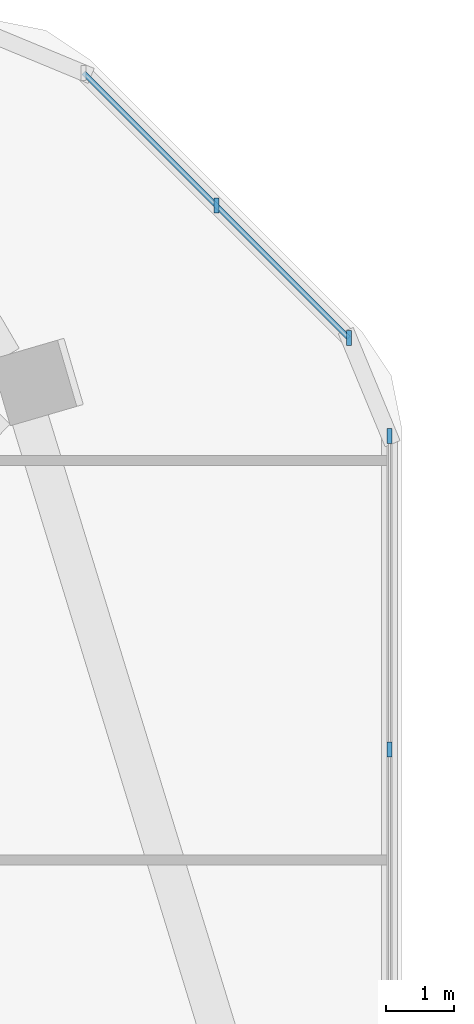
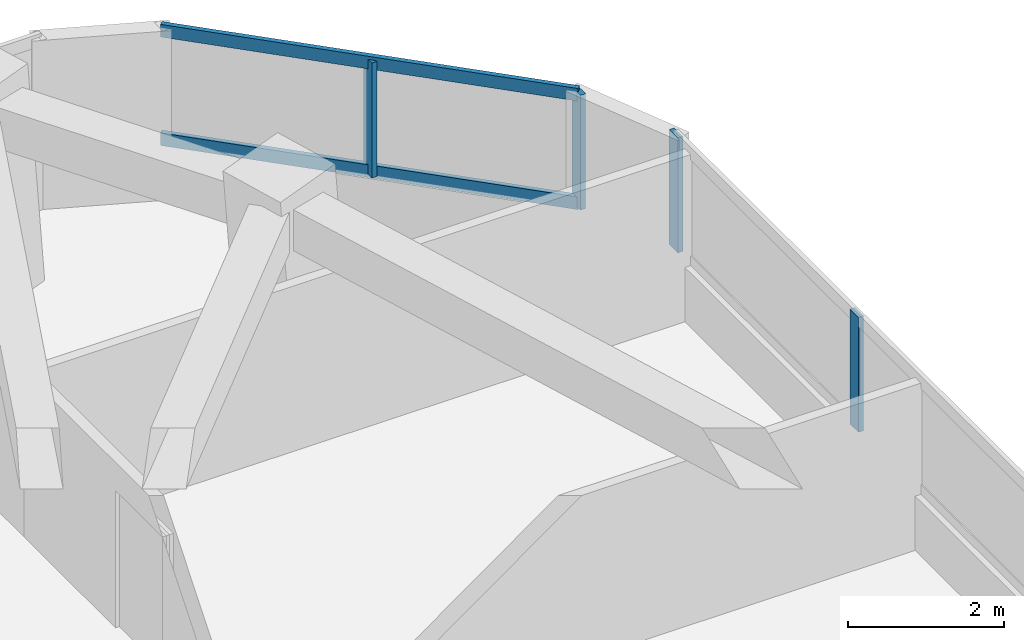
# One storey, part 7 of 14: 6 members, 2 elements without a shape of their own.
"""IFC4 building model written with IfcOpenShell, lengths in metres."""

from ifc_helpers import new_model, si_unit, derived_unit, direction, frame, origin, origin_2d, place, context, subcontext, project, spatial, rectangle, extrude, material, material_profile, profile_set, type_object, element, aggregate, save


model = new_model("IFC4")

# Units and contexts
model_context = context("Model", 3, precision=1e-05, world=origin(), true_north=direction((0.0, 1.0)))
body_context = subcontext(model_context, "Body", "Model", "MODEL_VIEW")
ifc_project = project(units=[si_unit("LENGTHUNIT", "METRE"), si_unit("AREAUNIT", "SQUARE_METRE"), si_unit("VOLUMEUNIT", "CUBIC_METRE"), si_unit("PLANEANGLEUNIT", "RADIAN"), si_unit("MASSUNIT", "GRAM", prefix="KILO"), derived_unit("THERMALTRANSMITTANCEUNIT", [(si_unit("POWERUNIT", "WATT"), 1), (si_unit("LENGTHUNIT", "METRE"), -2), (si_unit("THERMODYNAMICTEMPERATUREUNIT", "KELVIN"), -1)])], contexts=[model_context])

# Site, building, storey
site_placement = place(None, origin())
site = spatial("IfcSite", under=ifc_project, at=site_placement, CompositionType="ELEMENT")
building_placement = place(site_placement, origin())
building = spatial("IfcBuilding", under=site, at=building_placement, Name="Koralith Skygarden Medical Center", CompositionType="ELEMENT")
storey_placement = place(building_placement, frame((0.0, 0.0, 120.780029296875)))
storey = spatial("IfcBuildingStorey", under=building, at=storey_placement, Name="L31", CompositionType="ELEMENT", Elevation=120.780029296875)

# Curtain wall, members
ifc_material_1 = material(Name="Clear Laminated Glass", Category="glass")
curtain_wall_type = type_object("IfcCurtainWallType", Name="CW-3 Zone 2 Faceted Solar Curtain Wall", PredefinedType="NOTDEFINED", material=ifc_material_1)
curtain_wall_1_placement = place(storey_placement, origin())
curtain_wall_1 = element("IfcCurtainWall", 1, at=curtain_wall_1_placement, inside=storey, type_object=curtain_wall_type, Name="Curtain Wall CW-L31-E-R", PredefinedType="NOTDEFINED")
ifc_material_2 = material(Name="Aluminium 6063-T6", Category="aluminium")
ifc_material_profile_1 = material_profile(ifc_material_2, rectangle(XDim=0.073974609375, YDim=0.219970703125, at=origin_2d()), Name="MUL74X220")
ifc_profile_set_1 = profile_set([ifc_material_profile_1], Name="Aluminium 6063-T6")
member_type_1 = type_object("IfcMemberType", Name="CW-3 Extruded Mullion 74x220", PredefinedType="MULLION", material=ifc_profile_set_1)
member_1_placement = place(storey_placement, frame((60.9990234375, 36.7119140625, 0.849853515625), z_axis=(0.0, 0.0, 1.0), x_axis=(1.0, 0.0, 0.0)))
member_1 = element("IfcMember", 2, at=member_1_placement, type_object=member_type_1, Name="CW-L31-E-R Mullion 3", PredefinedType="MULLION", context=body_context, shape_type="SweptSolid", body=[
    extrude(rectangle(XDim=0.073974609375, YDim=0.219970703125, at=origin_2d()), origin(), (0.0, 0.0, 1.0), 1.800048828125),
])
member_2_placement = place(storey_placement, frame((60.9990234375, 41.347900390625, 0.849853515625), z_axis=(0.0, 0.0, 1.0), x_axis=(1.0, 0.0, 0.0)))
member_2 = element("IfcMember", 3, at=member_2_placement, type_object=member_type_1, Name="CW-L31-E-R Mullion 4", PredefinedType="MULLION", context=body_context, shape_type="SweptSolid", body=[
    extrude(rectangle(XDim=0.073974609375, YDim=0.219970703125, at=origin_2d()), origin(), (0.0, 0.0, 1.0), 1.800048828125),
])
aggregate(curtain_wall_1, [member_1, member_2])

curtain_wall_2_placement = place(storey_placement, origin())
curtain_wall_2 = element("IfcCurtainWall", 4, at=curtain_wall_2_placement, inside=storey, type_object=curtain_wall_type, Name="Curtain Wall CW-L31-NE", PredefinedType="NOTDEFINED")
member_3_placement = place(storey_placement, frame((60.39794921875, 42.799072265625, 0.849853515625), z_axis=(0.0, 0.0, 1.0), x_axis=(1.0, 0.0, 0.0)))
member_3 = element("IfcMember", 5, at=member_3_placement, type_object=member_type_1, Name="CW-L31-NE Mullion 1", PredefinedType="MULLION", context=body_context, shape_type="SweptSolid", body=[
    extrude(rectangle(XDim=0.073974609375, YDim=0.219970703125, at=origin_2d()), origin(), (0.0, 0.0, 1.0), 1.800048828125),
])
member_4_placement = place(storey_placement, frame((58.43701171875, 44.760986328125, 0.849853515625), z_axis=(0.0, 0.0, 1.0), x_axis=(1.0, 0.0, 0.0)))
member_4 = element("IfcMember", 6, at=member_4_placement, type_object=member_type_1, Name="CW-L31-NE Mullion 2", PredefinedType="MULLION", context=body_context, shape_type="SweptSolid", body=[
    extrude(rectangle(XDim=0.073974609375, YDim=0.219970703125, at=origin_2d()), origin(), (0.0, 0.0, 1.0), 1.800048828125),
])
ifc_material_profile_2 = material_profile(ifc_material_2, rectangle(XDim=0.069091796875, YDim=0.197998046875, at=origin_2d()), Name="TRN69X198")
ifc_profile_set_2 = profile_set([ifc_material_profile_2], Name="Aluminium 6063-T6")
member_type_2 = type_object("IfcMemberType", Name="CW-3 Thermal Transom 69x198", PredefinedType="USERDEFINED", material=ifc_profile_set_2)
member_5_placement = place(storey_placement, frame((60.39794921875, 42.799072265625, 0.89990234375), z_axis=(-0.707106781187, 0.707106781187, 0.0), x_axis=(-0.707106781187, -0.707106781187, 0.0)))
member_5 = element("IfcMember", 7, at=member_5_placement, type_object=member_type_2, Name="CW-L31-NE Transom 1", ObjectType="TRANSOM", PredefinedType="USERDEFINED", context=body_context, shape_type="SweptSolid", body=[
    extrude(rectangle(XDim=0.069091796875, YDim=0.197998046875, at=origin_2d()), origin(), (0.0, 0.0, 1.0), 5.5478515625),
])
member_6_placement = place(storey_placement, frame((60.39794921875, 42.799072265625, 2.599853515625), z_axis=(-0.707106781187, 0.707106781187, 0.0), x_axis=(-0.707106781187, -0.707106781187, 0.0)))
member_6 = element("IfcMember", 8, at=member_6_placement, type_object=member_type_2, Name="CW-L31-NE Transom 2", ObjectType="TRANSOM", PredefinedType="USERDEFINED", context=body_context, shape_type="SweptSolid", body=[
    extrude(rectangle(XDim=0.069091796875, YDim=0.197998046875, at=origin_2d()), origin(), (0.0, 0.0, 1.0), 5.5478515625),
])
aggregate(curtain_wall_2, [member_3, member_4, member_5, member_6])

save(model, "model.ifc")
